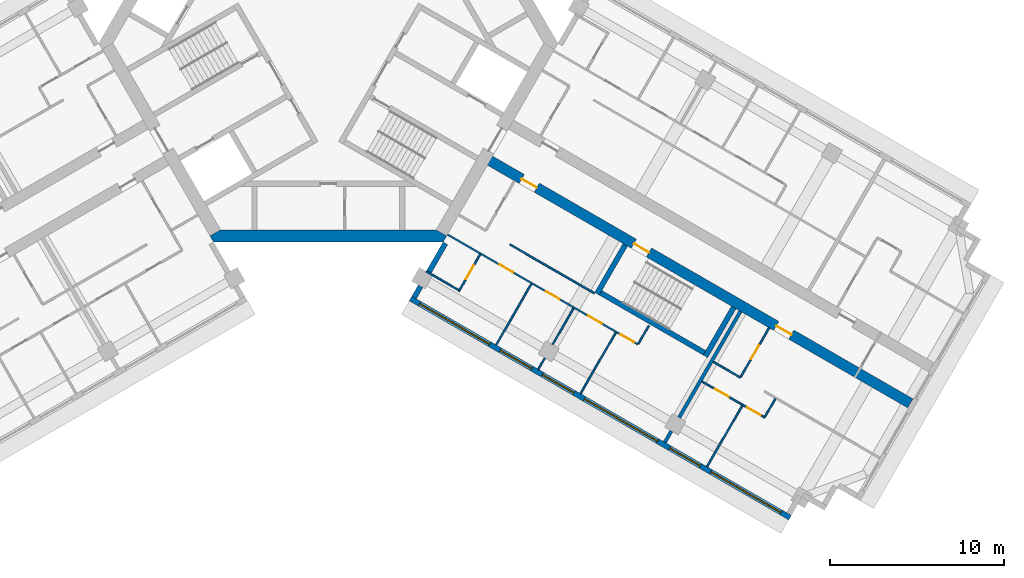
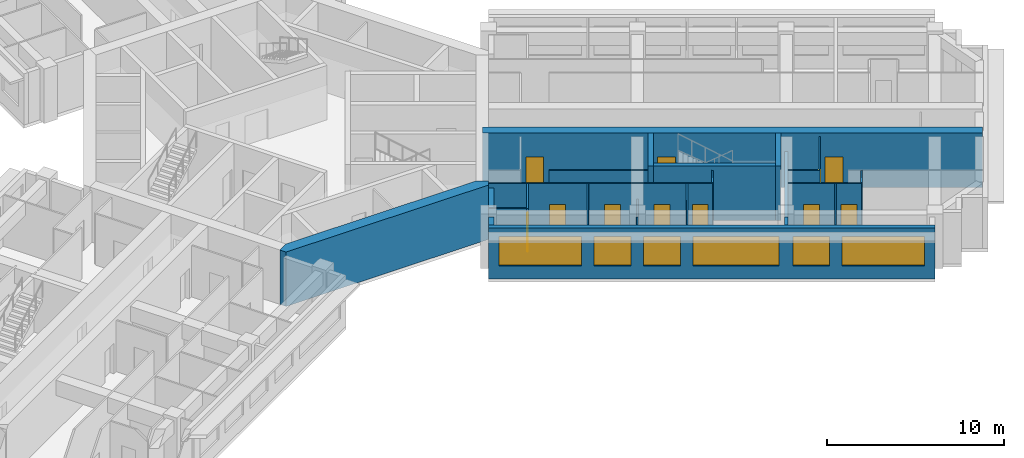
# One storey, part 5 of 12: 24 walls, 11 doors, 6 windows, 17 openings.
"""IFC4 building model written with IfcOpenShell, lengths in metres."""

from ifc_helpers import new_model, si_unit, direction, frame, frame_2d, origin, place, context, subcontext, project, spatial, polyline, rectangle, outline, extrude, material, layer, layer_set, type_object, element, fill, save


model = new_model("IFC4")

# Units and contexts
model_context = context("Model", 3, precision=1e-05, world=origin(), true_north=direction((0.0, 1.0)))
body_context = subcontext(model_context, "Body", "Model", "MODEL_VIEW")
ifc_project = project(units=[si_unit("LENGTHUNIT", "METRE"), si_unit("AREAUNIT", "SQUARE_METRE"), si_unit("VOLUMEUNIT", "CUBIC_METRE"), si_unit("PLANEANGLEUNIT", "RADIAN"), si_unit("MASSUNIT", "GRAM", prefix="KILO")], contexts=[model_context])

# Site, building, storey
site_placement = place(None, origin())
site = spatial("IfcSite", under=ifc_project, at=site_placement, CompositionType="ELEMENT")
building_placement = place(site_placement, origin())
building = spatial("IfcBuilding", under=site, at=building_placement, Name="Impinga Residences", CompositionType="ELEMENT")
storey_placement = place(building_placement, frame((0.0, 0.0, 211.0)))
storey = spatial("IfcBuildingStorey", under=building, at=storey_placement, Name="L52", CompositionType="ELEMENT", Elevation=211.0)

# Wall, openings, doors
ifc_material_1 = material(Name="Concrete C60/75", Category="concrete")
ifc_layer_1 = layer(ifc_material_1, 0.60009765625)
ifc_layer_set_1 = layer_set([ifc_layer_1], Name="Concrete C60/75")
wall_type_1 = type_object("IfcWallType", Name="BW3 corridor buttress wall, L46 to L73 600", PredefinedType="SHEAR", material=ifc_layer_set_1)
wall_1_placement = place(storey_placement, frame((8.996826171875, -6.580078125, 0.0), z_axis=(0.0, 0.0, 1.0), x_axis=(0.866026415941, -0.499998246889, 0.0)))
wall_1 = element("IfcWall", 1, at=wall_1_placement, inside=storey, type_object=wall_type_1, Name="Corridor wall BW3 ED L52", PredefinedType="SHEAR", context=body_context, shape_type="SweptSolid", body=[
    extrude(rectangle(XDim=28.25, YDim=0.60009765625, at=frame_2d((14.125, 0.0))), origin(), (0.0, 0.0, 1.0), 3.75),
])
opening_1_placement = place(wall_1_placement, frame((9.89990234375, 0.0, 0.0)))
opening_1 = element("IfcOpeningElement", 2, at=opening_1_placement, cuts=wall_1, Name="Opening D5", PredefinedType="OPENING", context=body_context, shape_type="SweptSolid", body=[
    extrude(rectangle(XDim=1.0, YDim=2.10009765625, at=frame_2d((0.5, 1.050048828125))), frame((0.0, 0.31005859375, 0.0), z_axis=(0.0, -1.0, 0.0), x_axis=(1.0, 0.0, 0.0)), (0.0, 0.0, 1.0), 0.6201171875),
])
opening_2_placement = place(wall_1_placement, frame((2.449951171875, 0.0, 0.0)))
opening_2 = element("IfcOpeningElement", 3, at=opening_2_placement, cuts=wall_1, Name="Opening D1", PredefinedType="OPENING", context=body_context, shape_type="SweptSolid", body=[
    extrude(rectangle(XDim=1.0, YDim=2.10009765625, at=frame_2d((0.5, 1.050048828125))), frame((0.0, 0.31005859375, 0.0), z_axis=(0.0, -1.0, 0.0), x_axis=(1.0, 0.0, 0.0)), (0.0, 0.0, 1.0), 0.6201171875),
])
opening_3_placement = place(wall_1_placement, frame((19.35009765625, 0.0, 0.0)))
opening_3 = element("IfcOpeningElement", 4, at=opening_3_placement, cuts=wall_1, Name="Opening D1", PredefinedType="OPENING", context=body_context, shape_type="SweptSolid", body=[
    extrude(rectangle(XDim=1.0, YDim=2.10009765625, at=frame_2d((0.5, 1.050048828125))), frame((0.0, 0.31005859375, 0.0), z_axis=(0.0, -1.0, 0.0), x_axis=(1.0, 0.0, 0.0)), (0.0, 0.0, 1.0), 0.6201171875),
])
ifc_material_2 = material(Name="Timber door set", Category="wood")
door_type_1 = type_object("IfcDoorType", Name="D1 apartment entrance door 1000x2100", OperationType="SINGLE_SWING_LEFT", PredefinedType="DOOR", material=ifc_material_2)
door_1_placement = place(opening_2_placement, origin())
door_1 = element("IfcDoor", 5, at=door_1_placement, inside=storey, type_object=door_type_1, Name="Apartment L52-EF1 entrance", OperationType="SINGLE_SWING_LEFT", OverallHeight=2.10009765625, OverallWidth=1.0, PredefinedType="DOOR", context=body_context, shape_type="SweptSolid", body=[
    extrude(rectangle(XDim=1.0, YDim=2.10009765625, at=frame_2d((0.5, 1.050048828125))), frame((0.0, 0.02490234375, 0.0), z_axis=(0.0, -1.0, 0.0), x_axis=(1.0, 0.0, 0.0)), (0.0, 0.0, 1.0), 0.050048828125),
])
fill(opening_2, door_1)
door_2_placement = place(opening_3_placement, origin())
door_2 = element("IfcDoor", 6, at=door_2_placement, inside=storey, type_object=door_type_1, Name="Apartment L52-EF2 entrance", OperationType="SINGLE_SWING_RIGHT", OverallHeight=2.10009765625, OverallWidth=1.0, PredefinedType="DOOR", context=body_context, shape_type="SweptSolid", body=[
    extrude(rectangle(XDim=1.0, YDim=2.10009765625, at=frame_2d((0.5, 1.050048828125))), frame((0.0, 0.02490234375, 0.0), z_axis=(0.0, -1.0, 0.0), x_axis=(1.0, 0.0, 0.0)), (0.0, 0.0, 1.0), 0.050048828125),
])
fill(opening_3, door_2)
door_type_2 = type_object("IfcDoorType", Name="D5 stair door 1000x2100", OperationType="SINGLE_SWING_LEFT", PredefinedType="DOOR", material=ifc_material_2)
door_3_placement = place(opening_1_placement, origin())
door_3 = element("IfcDoor", 7, at=door_3_placement, inside=storey, type_object=door_type_2, Name="Wing stair door E", OperationType="SINGLE_SWING_LEFT", OverallHeight=2.10009765625, OverallWidth=1.0, PredefinedType="DOOR", context=body_context, shape_type="SweptSolid", body=[
    extrude(rectangle(XDim=1.0, YDim=2.10009765625, at=frame_2d((0.5, 1.050048828125))), frame((0.0, 0.02490234375, 0.0), z_axis=(0.0, -1.0, 0.0), x_axis=(1.0, 0.0, 0.0)), (0.0, 0.0, 1.0), 0.050048828125),
])
fill(opening_1, door_3)

# Wall, openings, windows
ifc_material_3 = material(Name="Terracotta rainscreen on blockwork", Category="masonry")
ifc_layer_2 = layer(ifc_material_3, 0.300048828125)
ifc_layer_set_2 = layer_set([ifc_layer_2], Name="EW1 external wall, terracotta rainscreen on blockwork 300")
wall_type_2 = type_object("IfcWallType", Name="EW1 external wall, terracotta rainscreen on blockwork 300", PredefinedType="SOLIDWALL", material=ifc_layer_set_2)
wall_2_placement = place(storey_placement, frame((26.548828125, -27.279052734375, 0.0), z_axis=(0.0, 0.0, 1.0), x_axis=(-0.866026832479, 0.499997525421, 0.0)))
wall_2 = element("IfcWall", 8, at=wall_2_placement, inside=storey, type_object=wall_type_2, Name="External wall EW1 L52", PredefinedType="SOLIDWALL", context=body_context, shape_type="SweptSolid", body=[
    extrude(rectangle(XDim=25.199951171875, YDim=0.300048828125, at=frame_2d((12.60009765625, 0.0))), origin(), (0.0, 0.0, 1.0), 3.530029296875),
])
opening_4_placement = place(wall_2_placement, frame((0.60009765625, 0.0, 0.89990234375)))
opening_4 = element("IfcOpeningElement", 9, at=opening_4_placement, cuts=wall_2, Name="Opening W10", PredefinedType="OPENING", context=body_context, shape_type="SweptSolid", body=[
    extrude(rectangle(XDim=4.64990234375, YDim=2.050048828125, at=frame_2d((2.324951171875, 1.02490234375))), frame((0.0, 0.159912109375, 0.0), z_axis=(0.0, -1.0, 0.0), x_axis=(1.0, 0.0, 0.0)), (0.0, 0.0, 1.0), 0.320068359375),
])
opening_5_placement = place(wall_2_placement, frame((5.949951171875, 0.0, 0.89990234375)))
opening_5 = element("IfcOpeningElement", 10, at=opening_5_placement, cuts=wall_2, Name="Opening W14", PredefinedType="OPENING", context=body_context, shape_type="SweptSolid", body=[
    extrude(rectangle(XDim=2.050048828125, YDim=2.050048828125, at=frame_2d((1.02490234375, 1.02490234375))), frame((0.0, 0.159912109375, 0.0), z_axis=(0.0, -1.0, 0.0), x_axis=(1.0, 0.0, 0.0)), (0.0, 0.0, 1.0), 0.320068359375),
])
opening_6_placement = place(wall_2_placement, frame((8.800048828125, 0.0, 0.89990234375)))
opening_6 = element("IfcOpeningElement", 11, at=opening_6_placement, cuts=wall_2, Name="Opening W6", PredefinedType="OPENING", context=body_context, shape_type="SweptSolid", body=[
    extrude(rectangle(XDim=4.85009765625, YDim=2.050048828125, at=frame_2d((2.425048828125, 1.02490234375))), frame((0.0, 0.159912109375, 0.0), z_axis=(0.0, -1.0, 0.0), x_axis=(1.0, 0.0, 0.0)), (0.0, 0.0, 1.0), 0.320068359375),
])
opening_7_placement = place(wall_2_placement, frame((14.35009765625, 0.0, 0.89990234375)))
opening_7 = element("IfcOpeningElement", 12, at=opening_7_placement, cuts=wall_2, Name="Opening W9", PredefinedType="OPENING", context=body_context, shape_type="SweptSolid", body=[
    extrude(rectangle(XDim=2.10009765625, YDim=2.050048828125, at=frame_2d((1.050048828125, 1.02490234375))), frame((0.0, 0.159912109375, 0.0), z_axis=(0.0, -1.0, 0.0), x_axis=(1.0, 0.0, 0.0)), (0.0, 0.0, 1.0), 0.320068359375),
])
opening_8_placement = place(wall_2_placement, frame((17.14990234375, 0.0, 0.89990234375)))
opening_8 = element("IfcOpeningElement", 13, at=opening_8_placement, cuts=wall_2, Name="Opening W9", PredefinedType="OPENING", context=body_context, shape_type="SweptSolid", body=[
    extrude(rectangle(XDim=2.10009765625, YDim=2.050048828125, at=frame_2d((1.050048828125, 1.02490234375))), frame((0.0, 0.159912109375, 0.0), z_axis=(0.0, -1.0, 0.0), x_axis=(1.0, 0.0, 0.0)), (0.0, 0.0, 1.0), 0.320068359375),
])
opening_9_placement = place(wall_2_placement, frame((19.949951171875, 0.0, 0.89990234375)))
opening_9 = element("IfcOpeningElement", 14, at=opening_9_placement, cuts=wall_2, Name="Opening W10", PredefinedType="OPENING", context=body_context, shape_type="SweptSolid", body=[
    extrude(rectangle(XDim=4.64990234375, YDim=2.050048828125, at=frame_2d((2.324951171875, 1.02490234375))), frame((0.0, 0.159912109375, 0.0), z_axis=(0.0, -1.0, 0.0), x_axis=(1.0, 0.0, 0.0)), (0.0, 0.0, 1.0), 0.320068359375),
])
ifc_material_4 = material(Name="Aluminium window, clear double glazing", Category="aluminium")
window_type_1 = type_object("IfcWindowType", Name="W10 ribbon window 4650x2050", PartitioningType="SINGLE_PANEL", PredefinedType="WINDOW", material=ifc_material_4)
window_1_placement = place(opening_4_placement, origin())
window_1 = element("IfcWindow", 15, at=window_1_placement, inside=storey, type_object=window_type_1, Name="Window L52", OverallHeight=2.050048828125, OverallWidth=4.64990234375, PartitioningType="SINGLE_PANEL", PredefinedType="WINDOW", context=body_context, shape_type="SweptSolid", body=[
    extrude(rectangle(XDim=4.64990234375, YDim=2.050048828125, at=frame_2d((2.324951171875, 1.02490234375))), frame((0.0, 0.030029296875, 0.0), z_axis=(0.0, -1.0, 0.0), x_axis=(1.0, 0.0, 0.0)), (0.0, 0.0, 1.0), 0.06005859375),
])
fill(opening_4, window_1)
window_2_placement = place(opening_9_placement, origin())
window_2 = element("IfcWindow", 16, at=window_2_placement, inside=storey, type_object=window_type_1, Name="Window L52", OverallHeight=2.050048828125, OverallWidth=4.64990234375, PartitioningType="SINGLE_PANEL", PredefinedType="WINDOW", context=body_context, shape_type="SweptSolid", body=[
    extrude(rectangle(XDim=4.64990234375, YDim=2.050048828125, at=frame_2d((2.324951171875, 1.02490234375))), frame((0.0, 0.030029296875, 0.0), z_axis=(0.0, -1.0, 0.0), x_axis=(1.0, 0.0, 0.0)), (0.0, 0.0, 1.0), 0.06005859375),
])
fill(opening_9, window_2)
window_type_2 = type_object("IfcWindowType", Name="W14 ribbon window 2050x2050", PartitioningType="SINGLE_PANEL", PredefinedType="WINDOW", material=ifc_material_4)
window_3_placement = place(opening_5_placement, origin())
window_3 = element("IfcWindow", 17, at=window_3_placement, inside=storey, type_object=window_type_2, Name="Window L52", OverallHeight=2.050048828125, OverallWidth=2.050048828125, PartitioningType="SINGLE_PANEL", PredefinedType="WINDOW", context=body_context, shape_type="SweptSolid", body=[
    extrude(rectangle(XDim=2.050048828125, YDim=2.050048828125, at=frame_2d((1.02490234375, 1.02490234375))), frame((0.0, 0.030029296875, 0.0), z_axis=(0.0, -1.0, 0.0), x_axis=(1.0, 0.0, 0.0)), (0.0, 0.0, 1.0), 0.06005859375),
])
fill(opening_5, window_3)
window_type_3 = type_object("IfcWindowType", Name="W6 ribbon window 4850x2050", PartitioningType="SINGLE_PANEL", PredefinedType="WINDOW", material=ifc_material_4)
window_4_placement = place(opening_6_placement, origin())
window_4 = element("IfcWindow", 18, at=window_4_placement, inside=storey, type_object=window_type_3, Name="Window L52", OverallHeight=2.050048828125, OverallWidth=4.85009765625, PartitioningType="SINGLE_PANEL", PredefinedType="WINDOW", context=body_context, shape_type="SweptSolid", body=[
    extrude(rectangle(XDim=4.85009765625, YDim=2.050048828125, at=frame_2d((2.425048828125, 1.02490234375))), frame((0.0, 0.030029296875, 0.0), z_axis=(0.0, -1.0, 0.0), x_axis=(1.0, 0.0, 0.0)), (0.0, 0.0, 1.0), 0.06005859375),
])
fill(opening_6, window_4)
window_type_4 = type_object("IfcWindowType", Name="W9 ribbon window 2100x2050", PartitioningType="SINGLE_PANEL", PredefinedType="WINDOW", material=ifc_material_4)
window_5_placement = place(opening_7_placement, origin())
window_5 = element("IfcWindow", 19, at=window_5_placement, inside=storey, type_object=window_type_4, Name="Window L52", OverallHeight=2.050048828125, OverallWidth=2.10009765625, PartitioningType="SINGLE_PANEL", PredefinedType="WINDOW", context=body_context, shape_type="SweptSolid", body=[
    extrude(rectangle(XDim=2.10009765625, YDim=2.050048828125, at=frame_2d((1.050048828125, 1.02490234375))), frame((0.0, 0.030029296875, 0.0), z_axis=(0.0, -1.0, 0.0), x_axis=(1.0, 0.0, 0.0)), (0.0, 0.0, 1.0), 0.06005859375),
])
fill(opening_7, window_5)
window_6_placement = place(opening_8_placement, origin())
window_6 = element("IfcWindow", 20, at=window_6_placement, inside=storey, type_object=window_type_4, Name="Window L52", OverallHeight=2.050048828125, OverallWidth=2.10009765625, PartitioningType="SINGLE_PANEL", PredefinedType="WINDOW", context=body_context, shape_type="SweptSolid", body=[
    extrude(rectangle(XDim=2.10009765625, YDim=2.050048828125, at=frame_2d((1.050048828125, 1.02490234375))), frame((0.0, 0.030029296875, 0.0), z_axis=(0.0, -1.0, 0.0), x_axis=(1.0, 0.0, 0.0)), (0.0, 0.0, 1.0), 0.06005859375),
])
fill(opening_8, window_6)

# Walls
wall_3_placement = place(storey_placement, frame((4.929931640625, -14.624267578125, 0.0), z_axis=(0.0, 0.0, 1.0), x_axis=(0.499919672301, 0.866071776036, 0.0)))
element("IfcWall", 21, at=wall_3_placement, inside=storey, type_object=wall_type_2, Name="External wall EW1 L52", PredefinedType="SOLIDWALL", context=body_context, shape_type="SweptSolid", body=[
    extrude(rectangle(XDim=0.75, YDim=0.300048828125, at=frame_2d((0.375, 0.0))), origin(), (0.0, 0.0, 1.0), 3.530029296875),
])
wall_4_placement = place(storey_placement, frame((5.7548828125, -13.1953125, 0.0), z_axis=(0.0, 0.0, 1.0), x_axis=(0.500043961785, 0.866000020948, 0.0)))
element("IfcWall", 22, at=wall_4_placement, inside=storey, type_object=wall_type_2, Name="External wall EW1 L52", PredefinedType="SOLIDWALL", context=body_context, shape_type="SweptSolid", body=[
    extrude(rectangle(XDim=1.949951171875, YDim=0.300048828125, at=frame_2d((0.97509765625, 0.0))), origin(), (0.0, 0.0, 1.0), 3.530029296875),
])
ifc_material_5 = material(Name="Gypsum board on steel studs", Category="steel")
ifc_layer_3 = layer(ifc_material_5, 0.10009765625)
ifc_layer_set_3 = layer_set([ifc_layer_3], Name="Gypsum board on steel studs")
wall_type_3 = type_object("IfcWallType", Name="IP1 partition 100", PredefinedType="PARTITIONING", material=ifc_layer_set_3)
wall_5_placement = place(storey_placement, frame((10.444580078125, -11.57275390625, 0.0), z_axis=(0.0, 0.0, 1.0), x_axis=(0.866015695474, -0.500016814911, 0.0)))
element("IfcWall", 23, at=wall_5_placement, inside=storey, type_object=wall_type_3, Name="Partition L52-EF1:DIV1", PredefinedType="PARTITIONING", context=body_context, shape_type="SweptSolid", body=[
    extrude(rectangle(XDim=5.599853515625, YDim=0.10009765625, at=frame_2d((2.7998046875, 0.0))), origin(), (0.0, 0.0, 1.0), 3.530029296875),
])

# Wall, openings, doors
wall_6_placement = place(storey_placement, frame((6.85009765625, -10.99853515625, 0.0), z_axis=(0.0, 0.0, 1.0), x_axis=(0.866024244478, -0.500002007972, 0.0)))
wall_6 = element("IfcWall", 24, at=wall_6_placement, inside=storey, type_object=wall_type_3, Name="Partition L52-EF1:STRIP", PredefinedType="PARTITIONING", context=body_context, shape_type="SweptSolid", body=[
    extrude(rectangle(XDim=12.64990234375, YDim=0.10009765625, at=frame_2d((6.324951171875, 0.0))), origin(), (0.0, 0.0, 1.0), 3.530029296875),
])
opening_10_placement = place(wall_6_placement, frame((3.449951171875, 0.0, 0.0)))
opening_10 = element("IfcOpeningElement", 25, at=opening_10_placement, cuts=wall_6, Name="Opening D2", PredefinedType="OPENING", context=body_context, shape_type="SweptSolid", body=[
    extrude(rectangle(XDim=0.89990234375, YDim=2.10009765625, at=frame_2d((0.449951171875, 1.050048828125))), frame((0.0, 0.06005859375, 0.0), z_axis=(0.0, -1.0, 0.0), x_axis=(1.0, 0.0, 0.0)), (0.0, 0.0, 1.0), 0.1201171875),
])
opening_11_placement = place(wall_6_placement, frame((6.550048828125, 0.0, 0.0)))
opening_11 = element("IfcOpeningElement", 26, at=opening_11_placement, cuts=wall_6, Name="Opening D2", PredefinedType="OPENING", context=body_context, shape_type="SweptSolid", body=[
    extrude(rectangle(XDim=0.89990234375, YDim=2.10009765625, at=frame_2d((0.449951171875, 1.050048828125))), frame((0.0, 0.06005859375, 0.0), z_axis=(0.0, -1.0, 0.0), x_axis=(1.0, 0.0, 0.0)), (0.0, 0.0, 1.0), 0.1201171875),
])
opening_12_placement = place(wall_6_placement, frame((9.35009765625, 0.0, 0.0)))
opening_12 = element("IfcOpeningElement", 27, at=opening_12_placement, cuts=wall_6, Name="Opening D2", PredefinedType="OPENING", context=body_context, shape_type="SweptSolid", body=[
    extrude(rectangle(XDim=0.89990234375, YDim=2.10009765625, at=frame_2d((0.449951171875, 1.050048828125))), frame((0.0, 0.06005859375, 0.0), z_axis=(0.0, -1.0, 0.0), x_axis=(1.0, 0.0, 0.0)), (0.0, 0.0, 1.0), 0.1201171875),
])
opening_13_placement = place(wall_6_placement, frame((11.5, 0.0, 0.0)))
opening_13 = element("IfcOpeningElement", 28, at=opening_13_placement, cuts=wall_6, Name="Opening D2", PredefinedType="OPENING", context=body_context, shape_type="SweptSolid", body=[
    extrude(rectangle(XDim=0.89990234375, YDim=2.10009765625, at=frame_2d((0.449951171875, 1.050048828125))), frame((0.0, 0.06005859375, 0.0), z_axis=(0.0, -1.0, 0.0), x_axis=(1.0, 0.0, 0.0)), (0.0, 0.0, 1.0), 0.1201171875),
])
door_type_3 = type_object("IfcDoorType", Name="D2 internal door 900x2100", OperationType="SINGLE_SWING_LEFT", PredefinedType="DOOR", material=ifc_material_2)
door_4_placement = place(opening_10_placement, origin())
door_4 = element("IfcDoor", 29, at=door_4_placement, inside=storey, type_object=door_type_3, Name="Apartment L52-EF1 room door", OperationType="SINGLE_SWING_LEFT", OverallHeight=2.10009765625, OverallWidth=0.89990234375, PredefinedType="DOOR", context=body_context, shape_type="SweptSolid", body=[
    extrude(rectangle(XDim=0.89990234375, YDim=2.10009765625, at=frame_2d((0.449951171875, 1.050048828125))), frame((0.0, 0.02490234375, 0.0), z_axis=(0.0, -1.0, 0.0), x_axis=(1.0, 0.0, 0.0)), (0.0, 0.0, 1.0), 0.050048828125),
])
fill(opening_10, door_4)
door_5_placement = place(opening_11_placement, origin())
door_5 = element("IfcDoor", 30, at=door_5_placement, inside=storey, type_object=door_type_3, Name="Apartment L52-EF1 room door", OperationType="SINGLE_SWING_RIGHT", OverallHeight=2.10009765625, OverallWidth=0.89990234375, PredefinedType="DOOR", context=body_context, shape_type="SweptSolid", body=[
    extrude(rectangle(XDim=0.89990234375, YDim=2.10009765625, at=frame_2d((0.449951171875, 1.050048828125))), frame((0.0, 0.02490234375, 0.0), z_axis=(0.0, -1.0, 0.0), x_axis=(1.0, 0.0, 0.0)), (0.0, 0.0, 1.0), 0.050048828125),
])
fill(opening_11, door_5)
door_6_placement = place(opening_12_placement, origin())
door_6 = element("IfcDoor", 31, at=door_6_placement, inside=storey, type_object=door_type_3, Name="Apartment L52-EF1 room door", OperationType="SINGLE_SWING_RIGHT", OverallHeight=2.10009765625, OverallWidth=0.89990234375, PredefinedType="DOOR", context=body_context, shape_type="SweptSolid", body=[
    extrude(rectangle(XDim=0.89990234375, YDim=2.10009765625, at=frame_2d((0.449951171875, 1.050048828125))), frame((0.0, 0.02490234375, 0.0), z_axis=(0.0, -1.0, 0.0), x_axis=(1.0, 0.0, 0.0)), (0.0, 0.0, 1.0), 0.050048828125),
])
fill(opening_12, door_6)
door_7_placement = place(opening_13_placement, origin())
door_7 = element("IfcDoor", 32, at=door_7_placement, inside=storey, type_object=door_type_3, Name="Apartment L52-EF1 room door", OperationType="SINGLE_SWING_RIGHT", OverallHeight=2.10009765625, OverallWidth=0.89990234375, PredefinedType="DOOR", context=body_context, shape_type="SweptSolid", body=[
    extrude(rectangle(XDim=0.89990234375, YDim=2.10009765625, at=frame_2d((0.449951171875, 1.050048828125))), frame((0.0, 0.02490234375, 0.0), z_axis=(0.0, -1.0, 0.0), x_axis=(1.0, 0.0, 0.0)), (0.0, 0.0, 1.0), 0.050048828125),
])
fill(opening_13, door_7)

# Walls
wall_7_placement = place(storey_placement, frame((18.43017578125, -16.240966796875, 0.0), z_axis=(0.0, 0.0, 1.0), x_axis=(-0.499880961361, -0.866094119867, 0.0)))
element("IfcWall", 33, at=wall_7_placement, inside=storey, type_object=wall_type_3, Name="Partition L52-EF1:SE1", PredefinedType="PARTITIONING", context=body_context, shape_type="SweptSolid", body=[
    extrude(rectangle(XDim=1.199951171875, YDim=0.10009765625, at=frame_2d((0.60009765625, 0.0))), origin(), (0.0, 0.0, 1.0), 3.530029296875),
])
wall_8_placement = place(storey_placement, frame((11.6748046875, -13.841796875, 0.0), z_axis=(0.0, 0.0, 1.0), x_axis=(-0.500035537042, -0.866004885491, 0.0)))
element("IfcWall", 34, at=wall_8_placement, inside=storey, type_object=wall_type_3, Name="Partition L52-EF1:OB1", PredefinedType="PARTITIONING", context=body_context, shape_type="SweptSolid", body=[
    extrude(rectangle(XDim=4.050048828125, YDim=0.10009765625, at=frame_2d((2.02490234375, 0.0))), origin(), (0.0, 0.0, 1.0), 3.530029296875),
])
wall_9_placement = place(storey_placement, frame((14.099609375, -15.241943359375, 0.0), z_axis=(0.0, 0.0, 1.0), x_axis=(-0.500001309137, -0.866024647952, 0.0)))
element("IfcWall", 35, at=wall_9_placement, inside=storey, type_object=wall_type_3, Name="Partition L52-EF1:OB2", PredefinedType="PARTITIONING", context=body_context, shape_type="SweptSolid", body=[
    extrude(rectangle(XDim=2.39990234375, YDim=0.10009765625, at=frame_2d((1.199951171875, 0.0))), origin(), (0.0, 0.0, 1.0), 2.47998046875),
])
wall_10_placement = place(storey_placement, frame((12.44970703125, -18.099609375, 0.0), z_axis=(0.0, 0.0, 1.0), x_axis=(-0.499919672301, -0.866071776036, 0.0)))
element("IfcWall", 36, at=wall_10_placement, inside=storey, type_object=wall_type_3, Name="Partition L52-EF1:OB2b", PredefinedType="PARTITIONING", context=body_context, shape_type="SweptSolid", body=[
    extrude(rectangle(XDim=0.75, YDim=0.10009765625, at=frame_2d((0.375, 0.0))), origin(), (0.0, 0.0, 1.0), 3.530029296875),
])
wall_11_placement = place(storey_placement, frame((16.5244140625, -16.641845703125, 0.0), z_axis=(0.0, 0.0, 1.0), x_axis=(-0.499990325971, -0.866030989016, 0.0)))
element("IfcWall", 37, at=wall_11_placement, inside=storey, type_object=wall_type_3, Name="Partition L52-EF1:OB3", PredefinedType="PARTITIONING", context=body_context, shape_type="SweptSolid", body=[
    extrude(rectangle(XDim=4.0498046875, YDim=0.10009765625, at=frame_2d((2.02490234375, 0.0))), origin(), (0.0, 0.0, 1.0), 3.530029296875),
])

# Wall, opening, door
wall_12_placement = place(storey_placement, frame((8.730224609375, -12.141845703125, 0.0), z_axis=(0.0, 0.0, 1.0), x_axis=(-0.499943856944, -0.866057815567, 0.0)))
wall_12 = element("IfcWall", 38, at=wall_12_placement, inside=storey, type_object=wall_type_3, Name="Partition L52-EF1:EN1", PredefinedType="PARTITIONING", context=body_context, shape_type="SweptSolid", body=[
    extrude(rectangle(XDim=2.449951171875, YDim=0.10009765625, at=frame_2d((1.22509765625, 0.0))), origin(), (0.0, 0.0, 1.0), 3.530029296875),
])
opening_14_placement = place(wall_12_placement, frame((0.75, 0.0, 0.0)))
opening_14 = element("IfcOpeningElement", 39, at=opening_14_placement, cuts=wall_12, Name="Opening D2", PredefinedType="OPENING", context=body_context, shape_type="SweptSolid", body=[
    extrude(rectangle(XDim=0.89990234375, YDim=2.10009765625, at=frame_2d((0.449951171875, 1.050048828125))), frame((0.0, 0.06005859375, 0.0), z_axis=(0.0, -1.0, 0.0), x_axis=(1.0, 0.0, 0.0)), (0.0, 0.0, 1.0), 0.1201171875),
])
door_8_placement = place(opening_14_placement, origin())
door_8 = element("IfcDoor", 40, at=door_8_placement, inside=storey, type_object=door_type_3, Name="Apartment L52-EF1 en-suite door", OperationType="SINGLE_SWING_LEFT", OverallHeight=2.10009765625, OverallWidth=0.89990234375, PredefinedType="DOOR", context=body_context, shape_type="SweptSolid", body=[
    extrude(rectangle(XDim=0.89990234375, YDim=2.10009765625, at=frame_2d((0.449951171875, 1.050048828125))), frame((0.0, 0.02490234375, 0.0), z_axis=(0.0, -1.0, 0.0), x_axis=(1.0, 0.0, 0.0)), (0.0, 0.0, 1.0), 0.050048828125),
])
fill(opening_14, door_8)

# Walls
wall_13_placement = place(storey_placement, frame((5.625, -13.120361328125, 0.0), z_axis=(0.0, 0.0, 1.0), x_axis=(0.866047553582, -0.499961633463, 0.0)))
element("IfcWall", 41, at=wall_13_placement, inside=storey, type_object=wall_type_3, Name="Partition L52-EF1:EN2", PredefinedType="PARTITIONING", context=body_context, shape_type="SweptSolid", body=[
    extrude(rectangle(XDim=2.150146484375, YDim=0.10009765625, at=frame_2d((1.0751953125, 0.0))), origin(), (0.0, 0.0, 1.0), 3.530029296875),
])
wall_14_placement = place(storey_placement, frame((22.1357421875, -18.32275390625, 0.0), z_axis=(0.0, 0.0, 1.0), x_axis=(0.866047807691, -0.499961193289, 0.0)))
element("IfcWall", 42, at=wall_14_placement, inside=storey, type_object=wall_type_3, Name="Partition L52-EF2:DIV0", PredefinedType="PARTITIONING", context=body_context, shape_type="SweptSolid", body=[
    extrude(rectangle(XDim=1.800048828125, YDim=0.10009765625, at=frame_2d((0.89990234375, 0.0))), origin(), (0.0, 0.0, 1.0), 3.530029296875),
])

# Wall, openings, doors
wall_15_placement = place(storey_placement, frame((21.48583984375, -19.448486328125, 0.0), z_axis=(0.0, 0.0, 1.0), x_axis=(0.86602981871, -0.499992353047, 0.0)))
wall_15 = element("IfcWall", 43, at=wall_15_placement, inside=storey, type_object=wall_type_3, Name="Partition L52-EF2:STRIP", PredefinedType="PARTITIONING", context=body_context, shape_type="SweptSolid", body=[
    extrude(rectangle(XDim=4.14990234375, YDim=0.10009765625, at=frame_2d((2.074951171875, 0.0))), origin(), (0.0, 0.0, 1.0), 3.530029296875),
])
opening_15_placement = place(wall_15_placement, frame((0.875, 0.0, 0.0)))
opening_15 = element("IfcOpeningElement", 44, at=opening_15_placement, cuts=wall_15, Name="Opening D2", PredefinedType="OPENING", context=body_context, shape_type="SweptSolid", body=[
    extrude(rectangle(XDim=0.89990234375, YDim=2.10009765625, at=frame_2d((0.449951171875, 1.050048828125))), frame((0.0, 0.06005859375, 0.0), z_axis=(0.0, -1.0, 0.0), x_axis=(1.0, 0.0, 0.0)), (0.0, 0.0, 1.0), 0.1201171875),
])
opening_16_placement = place(wall_15_placement, frame((3.0, 0.0, 0.0)))
opening_16 = element("IfcOpeningElement", 45, at=opening_16_placement, cuts=wall_15, Name="Opening D2", PredefinedType="OPENING", context=body_context, shape_type="SweptSolid", body=[
    extrude(rectangle(XDim=0.89990234375, YDim=2.10009765625, at=frame_2d((0.449951171875, 1.050048828125))), frame((0.0, 0.06005859375, 0.0), z_axis=(0.0, -1.0, 0.0), x_axis=(1.0, 0.0, 0.0)), (0.0, 0.0, 1.0), 0.1201171875),
])
door_9_placement = place(opening_15_placement, origin())
door_9 = element("IfcDoor", 46, at=door_9_placement, inside=storey, type_object=door_type_3, Name="Apartment L52-EF2 room door", OperationType="SINGLE_SWING_LEFT", OverallHeight=2.10009765625, OverallWidth=0.89990234375, PredefinedType="DOOR", context=body_context, shape_type="SweptSolid", body=[
    extrude(rectangle(XDim=0.89990234375, YDim=2.10009765625, at=frame_2d((0.449951171875, 1.050048828125))), frame((0.0, 0.02490234375, 0.0), z_axis=(0.0, -1.0, 0.0), x_axis=(1.0, 0.0, 0.0)), (0.0, 0.0, 1.0), 0.050048828125),
])
fill(opening_15, door_9)
door_10_placement = place(opening_16_placement, origin())
door_10 = element("IfcDoor", 47, at=door_10_placement, inside=storey, type_object=door_type_3, Name="Apartment L52-EF2 room door", OperationType="SINGLE_SWING_RIGHT", OverallHeight=2.10009765625, OverallWidth=0.89990234375, PredefinedType="DOOR", context=body_context, shape_type="SweptSolid", body=[
    extrude(rectangle(XDim=0.89990234375, YDim=2.10009765625, at=frame_2d((0.449951171875, 1.050048828125))), frame((0.0, 0.02490234375, 0.0), z_axis=(0.0, -1.0, 0.0), x_axis=(1.0, 0.0, 0.0)), (0.0, 0.0, 1.0), 0.050048828125),
])
fill(opening_16, door_10)

# Wall
wall_16_placement = place(storey_placement, frame((25.704833984375, -20.44091796875, 0.0), z_axis=(0.0, 0.0, 1.0), x_axis=(-0.500033551112, -0.866006032174, 0.0)))
element("IfcWall", 48, at=wall_16_placement, inside=storey, type_object=wall_type_3, Name="Partition L52-EF2:SE1", PredefinedType="PARTITIONING", context=body_context, shape_type="SweptSolid", body=[
    extrude(rectangle(XDim=1.2001953125, YDim=0.10009765625, at=frame_2d((0.60009765625, 0.0))), origin(), (0.0, 0.0, 1.0), 3.530029296875),
])

# Wall, opening, door
wall_17_placement = place(storey_placement, frame((25.3447265625, -16.36474609375, 0.0), z_axis=(0.0, 0.0, 1.0), x_axis=(-0.499984717929, -0.866034226713, 0.0)))
wall_17 = element("IfcWall", 49, at=wall_17_placement, inside=storey, type_object=wall_type_3, Name="Partition L52-EF2:IB1", PredefinedType="PARTITIONING", context=body_context, shape_type="SweptSolid", body=[
    extrude(rectangle(XDim=3.25, YDim=0.10009765625, at=frame_2d((1.625, 0.0))), origin(), (0.0, 0.0, 1.0), 3.530029296875),
])
opening_17_placement = place(wall_17_placement, frame((1.175048828125, 0.0, 0.0)))
opening_17 = element("IfcOpeningElement", 50, at=opening_17_placement, cuts=wall_17, Name="Opening D2", PredefinedType="OPENING", context=body_context, shape_type="SweptSolid", body=[
    extrude(rectangle(XDim=0.89990234375, YDim=2.10009765625, at=frame_2d((0.449951171875, 1.050048828125))), frame((0.0, 0.06005859375, 0.0), z_axis=(0.0, -1.0, 0.0), x_axis=(1.0, 0.0, 0.0)), (0.0, 0.0, 1.0), 0.1201171875),
])
door_11_placement = place(opening_17_placement, origin())
door_11 = element("IfcDoor", 51, at=door_11_placement, inside=storey, type_object=door_type_3, Name="Apartment L52-EF2 bathroom door", OperationType="SINGLE_SWING_LEFT", OverallHeight=2.10009765625, OverallWidth=0.89990234375, PredefinedType="DOOR", context=body_context, shape_type="SweptSolid", body=[
    extrude(rectangle(XDim=0.89990234375, YDim=2.10009765625, at=frame_2d((0.449951171875, 1.050048828125))), frame((0.0, 0.02490234375, 0.0), z_axis=(0.0, -1.0, 0.0), x_axis=(1.0, 0.0, 0.0)), (0.0, 0.0, 1.0), 0.050048828125),
])
fill(opening_17, door_11)

# Walls
wall_18_placement = place(storey_placement, frame((23.799072265625, -20.841796875, 0.0), z_axis=(0.0, 0.0, 1.0), x_axis=(-0.499990325971, -0.866030989016, 0.0)))
element("IfcWall", 52, at=wall_18_placement, inside=storey, type_object=wall_type_3, Name="Partition L52-EF2:OB1", PredefinedType="PARTITIONING", context=body_context, shape_type="SweptSolid", body=[
    extrude(rectangle(XDim=4.0498046875, YDim=0.10009765625, at=frame_2d((2.02490234375, 0.0))), origin(), (0.0, 0.0, 1.0), 3.530029296875),
])
ifc_material_6 = material(Name="Concrete blockwork", Category="masonry")
ifc_layer_4 = layer(ifc_material_6, 0.199951171875)
ifc_layer_set_4 = layer_set([ifc_layer_4], Name="PW1 party wall between apartments 200")
wall_type_4 = type_object("IfcWallType", Name="PW1 party wall between apartments 200", PredefinedType="SOLIDWALL", material=ifc_layer_set_4)
wall_19_placement = place(storey_placement, frame((23.69921875, -15.414794921875, 0.0), z_axis=(0.0, 0.0, 1.0), x_axis=(-0.499990246421, -0.866031034943, 0.0)))
element("IfcWall", 53, at=wall_19_placement, inside=storey, type_object=wall_type_4, Name="Party wall between apartments L52-EF1:PARTY", PredefinedType="SOLIDWALL", context=body_context, shape_type="SweptSolid", body=[
    extrude(rectangle(XDim=7.050048828125, YDim=0.199951171875, at=frame_2d((3.52490234375, 0.0))), origin(), (0.0, 0.0, 1.0), 2.47998046875),
])
wall_20_placement = place(storey_placement, frame((19.72412109375, -22.2998046875, 0.0), z_axis=(0.0, 0.0, 1.0), x_axis=(-0.500060622324, -0.86599040064, 0.0)))
element("IfcWall", 54, at=wall_20_placement, inside=storey, type_object=wall_type_4, Name="Party wall between apartments L52-EF1:PARTYb", PredefinedType="SOLIDWALL", context=body_context, shape_type="SweptSolid", body=[
    extrude(rectangle(XDim=0.75, YDim=0.199951171875, at=frame_2d((0.375, 0.0))), origin(), (0.0, 0.0, 1.0), 3.530029296875),
])
ifc_layer_5 = layer(ifc_material_1, 0.300048828125)
ifc_layer_set_5 = layer_set([ifc_layer_5], Name="Concrete C60/75")
wall_type_5 = type_object("IfcWallType", Name="SE1 wing stair enclosure wall 300", PredefinedType="SOLIDWALL", material=ifc_layer_set_5)
for number, where, z_axis, x_axis, name in (
    (55, (17.07421875, -11.58984375, 0.0), (0.0, 0.0, 1.0), (-0.500017246033, -0.866015446554, 0.0), "Stair enclosure wall SE1 E END0 L52"),
    (56, (23.3095703125, -15.189697265625, 0.0), (0.0, 0.0, 1.0), (-0.499984717929, -0.866034226713, 0.0), "Stair enclosure wall SE1 E END1 L52"),
):
    element("IfcWall", number, at=place(storey_placement, frame(where, z_axis=z_axis, x_axis=x_axis)), inside=storey, type_object=wall_type_5, Name=name, PredefinedType="SOLIDWALL", context=body_context, shape_type="SweptSolid", body=[
        extrude(rectangle(XDim=3.25, YDim=0.300048828125, at=frame_2d((1.625, 0.0))), origin(), (0.0, 0.0, 1.0), 3.75),
    ])
wall_21_placement = place(storey_placement, frame((15.654052734375, -14.349365234375, 0.0), z_axis=(0.0, 0.0, 1.0), x_axis=(0.866013532718, -0.500020560727, 0.0)))
element("IfcWall", 57, at=wall_21_placement, inside=storey, type_object=wall_type_5, Name="Stair enclosure wall SE1 E OUT L52", PredefinedType="SOLIDWALL", context=body_context, shape_type="SweptSolid", body=[
    extrude(rectangle(XDim=6.900146484375, YDim=0.300048828125, at=frame_2d((3.4501953125, 0.0))), origin(), (0.0, 0.0, 1.0), 3.75),
])
ifc_layer_6 = layer(ifc_material_1, 0.699951171875)
ifc_layer_set_6 = layer_set([ifc_layer_6], Name="Concrete C60/75")
wall_type_6 = type_object("IfcWallType", Name="SW3 core wall 700", PredefinedType="SHEAR", material=ifc_layer_set_6)
wall_22_placement = place(storey_placement, origin())
element("IfcWall", 58, at=wall_22_placement, inside=storey, type_object=wall_type_6, Name="Core wall SW3 N:EXPOSED L52", PredefinedType="SHEAR", context=body_context, shape_type="SweptSolid", body=[
    extrude(outline(polyline([(-6.60009765625, -11.431640625), (6.60009765625, -11.431640625), (6.802001953125, -11.08154296875), (6.19580078125, -10.7314453125), (-6.19580078125, -10.7314453125), (-6.802001953125, -11.08154296875), (-6.60009765625, -11.431640625)])), origin(), (0.0, 0.0, 1.0), 3.75),
])

save(model, "model.ifc")
